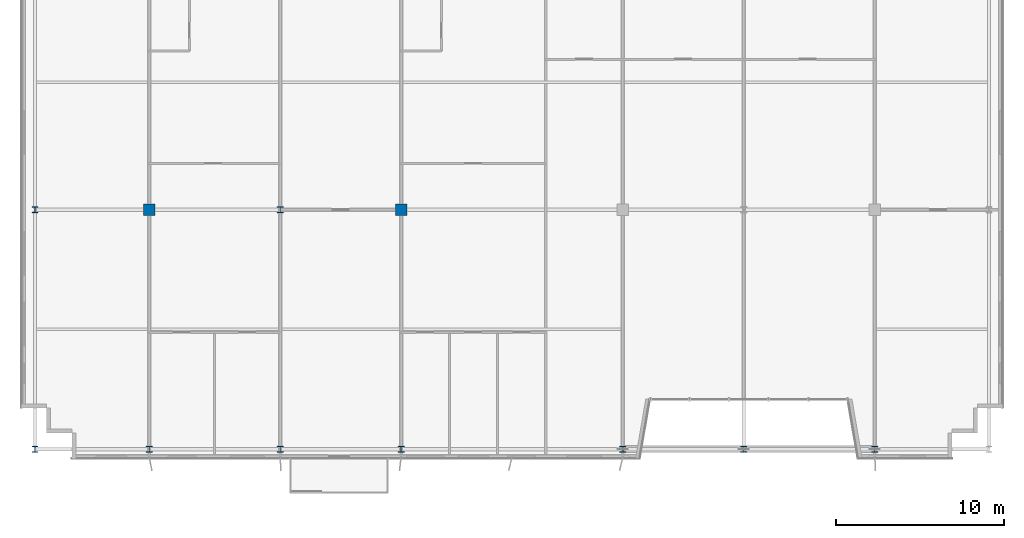
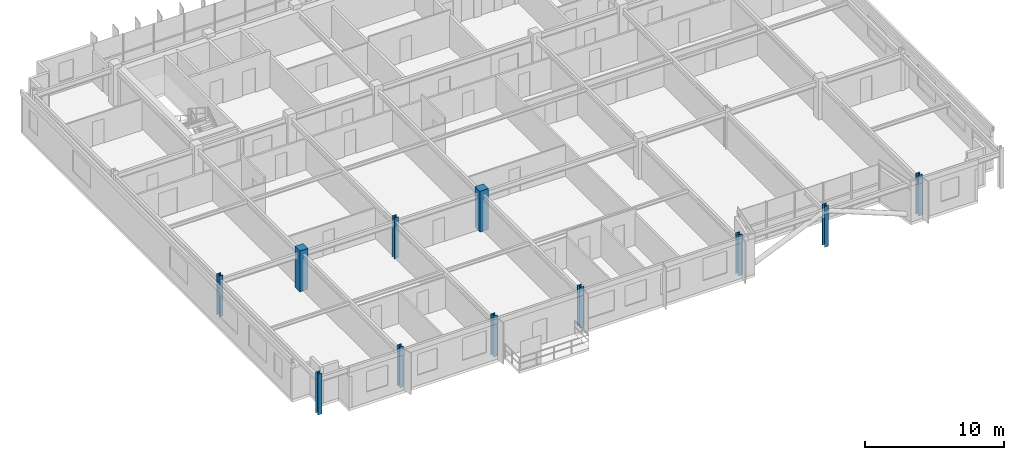
# One storey, part 1 of 27: 11 columns.
"""IFC4 building model written with IfcOpenShell, lengths in metres."""

import ifcopenshell
import ifcopenshell.guid

model = None  # the IFC model being written
_history = None  # IfcOwnerHistory: only IFC2X3 demands one
_inside = {}  # id of a spatial element -> (the spatial element, [elements in it])
_under = {}  # id of a project, library or spatial element -> (it, [spatial elements below it])
_declared = {}  # id of a project -> (the project, [libraries it declares])
_typed = {}  # id of a type object -> (the type object, [elements of that type])
_made_of = {}  # id of a material, layer set ... -> (it, [elements and type objects made of it])


def new_model(schema):
    """Start an empty IFC model of exactly this schema.

    Asked for "IFC4X3", IfcOpenShell would pick the latest addendum, in which some entities
    have other attributes; the version numbers below select the first issue.
    IFC2X3 requires an IfcOwnerHistory on every rooted entity: one is made here for all.
    """
    global model, _history
    if schema == "IFC4X3":
        model = ifcopenshell.file(schema_version=(4, 3, 0, 0))
    else:
        model = ifcopenshell.file(schema=schema)
    _inside.clear()
    _under.clear()
    _declared.clear()
    _typed.clear()
    _made_of.clear()
    _history = None
    if model.schema == "IFC2X3":
        org = make("IfcOrganization", Name="unknown")
        user = make(
            "IfcPersonAndOrganization",
            ThePerson=make("IfcPerson", FamilyName="unknown"),
            TheOrganization=org,
        )
        app = make(
            "IfcApplication",
            ApplicationDeveloper=org,
            Version="unknown",
            ApplicationFullName="unknown",
            ApplicationIdentifier="unknown",
        )
        _history = make(
            "IfcOwnerHistory",
            OwningUser=user,
            OwningApplication=app,
            ChangeAction="ADDED",
            CreationDate=0,
        )
    return model


def make(cls, **values):
    """One entity of the class cls with the attributes given. An attribute that is None is left unset."""
    return model.create_entity(
        cls, **{name: value for name, value in values.items() if value is not None}
    )


def rooted(cls, **values):
    """An entity with a GlobalId (a new one), such as an element, a storey or a relation."""
    return make(cls, GlobalId=ifcopenshell.guid.new(), OwnerHistory=_history, **values)


def si_unit(unit_type, name, prefix=None):
    """IfcSIUnit, for example si_unit("LENGTHUNIT", "METRE", prefix="MILLI")."""
    return make("IfcSIUnit", UnitType=unit_type, Prefix=prefix, Name=name)


def assignment(units):
    """IfcUnitAssignment: the units of a project."""
    return None if units is None else make("IfcUnitAssignment", Units=units)


def point(xyz):
    """IfcCartesianPoint."""
    return None if xyz is None else make("IfcCartesianPoint", Coordinates=xyz)


def direction(xyz):
    """IfcDirection."""
    return None if xyz is None else make("IfcDirection", DirectionRatios=xyz)


def frame(location, z_axis=None, x_axis=None):
    """IfcAxis2Placement3D, a coordinate frame: its origin and axes. An axis left out is left unset."""
    return make(
        "IfcAxis2Placement3D",
        Location=point(location),
        Axis=direction(z_axis),
        RefDirection=direction(x_axis),
    )


def frame_2d(location, x_axis=None):
    """IfcAxis2Placement2D, a coordinate frame in the plane: its origin and x axis."""
    return make(
        "IfcAxis2Placement2D", Location=point(location), RefDirection=direction(x_axis)
    )


def origin():
    """The frame at (0, 0, 0) with its axes left unset."""
    return frame((0.0, 0.0, 0.0))


def origin_2d():
    """The frame at (0, 0) in the plane with its x axis left unset."""
    return frame_2d((0.0, 0.0))


def place(relative_to, where):
    """IfcLocalPlacement: puts the frame where relative to a parent placement (None: the world)."""
    return make(
        "IfcLocalPlacement", PlacementRelTo=relative_to, RelativePlacement=where
    )


def context(
    kind, dimensions, precision=None, world=None, true_north=None, identifier=None
):
    """IfcGeometricRepresentationContext, for example the 3D "Model" context."""
    return make(
        "IfcGeometricRepresentationContext",
        ContextIdentifier=identifier,
        ContextType=kind,
        CoordinateSpaceDimension=dimensions,
        Precision=precision,
        WorldCoordinateSystem=world,
        TrueNorth=true_north,
    )


def subcontext(parent, identifier, kind, view, scale=None):
    """IfcGeometricRepresentationSubContext, for example "Body" below "Model"."""
    return make(
        "IfcGeometricRepresentationSubContext",
        ContextIdentifier=identifier,
        ContextType=kind,
        ParentContext=parent,
        TargetScale=scale,
        TargetView=view,
    )


def project(units=None, contexts=None):
    """IfcProject with its units and contexts."""
    return rooted(
        "IfcProject",
        Name="project",
        RepresentationContexts=contexts,
        UnitsInContext=assignment(units),
    )


def spatial(cls, under=None, at=None, **own):
    """A site, building, storey or space (cls), placed at a placement, below another one or the project."""
    s = rooted(cls, ObjectPlacement=at, **own)
    if under is not None:
        _under.setdefault(under.id(), (under, []))[1].append(s)
    return s


def profile(cls, at=None, kind="AREA", **sizes):
    """A parametric profile (cls). Its sizes go by their IFC names, for example OverallWidth=200.0."""
    return make(cls, ProfileType=kind, Position=at, **sizes)


def rectangle(**sizes):
    """IfcRectangleProfileDef."""
    return profile("IfcRectangleProfileDef", **sizes)


def i_section(**sizes):
    """IfcIShapeProfileDef."""
    return profile("IfcIShapeProfileDef", **sizes)


def extrude(swept, where, along, depth):
    """IfcExtrudedAreaSolid: the profile swept, set in the frame where, extruded along a direction by depth."""
    return make(
        "IfcExtrudedAreaSolid",
        SweptArea=swept,
        Position=where,
        ExtrudedDirection=direction(along),
        Depth=depth,
    )


def shape(context_of_items, identifier, shape_type, items):
    """IfcShapeRepresentation: the items that make up one representation, for example the "Body"."""
    return make(
        "IfcShapeRepresentation",
        ContextOfItems=context_of_items,
        RepresentationIdentifier=identifier,
        RepresentationType=shape_type,
        Items=items,
    )


def source(mapping_origin, context_of_items, identifier, shape_type, items):
    """IfcRepresentationMap: a shape defined once, which mapped items show again and again."""
    return make(
        "IfcRepresentationMap",
        MappingOrigin=mapping_origin,
        MappedRepresentation=shape(context_of_items, identifier, shape_type, items),
    )


def transform(
    local_origin,
    x_axis=None,
    y_axis=None,
    z_axis=None,
    scale=None,
    scale2=None,
    scale3=None,
    uniform=True,
):
    """IfcCartesianTransformationOperator3D, or its non-uniform kind. x_axis, y_axis, z_axis: its Axis1, 2, 3."""
    if uniform:
        return make(
            "IfcCartesianTransformationOperator3D",
            Axis1=direction(x_axis),
            Axis2=direction(y_axis),
            LocalOrigin=point(local_origin),
            Scale=scale,
            Axis3=direction(z_axis),
        )
    return make(
        "IfcCartesianTransformationOperator3DnonUniform",
        Axis1=direction(x_axis),
        Axis2=direction(y_axis),
        LocalOrigin=point(local_origin),
        Scale=scale,
        Axis3=direction(z_axis),
        Scale2=scale2,
        Scale3=scale3,
    )


def mapped(mapping_source, mapping_target):
    """IfcMappedItem: shows the shape of a source again, moved by a transform."""
    return make(
        "IfcMappedItem", MappingSource=mapping_source, MappingTarget=mapping_target
    )


def material(Name=None, Category=None):
    """IfcMaterial."""
    return make("IfcMaterial", Name=Name, Category=Category)


def material_profile(
    of_material, cross_section, Name=None, Category=None, Priority=None
):
    """IfcMaterialProfile: a cross section and its material."""
    return make(
        "IfcMaterialProfile",
        Name=Name,
        Material=of_material,
        Profile=cross_section,
        Priority=Priority,
        Category=Category,
    )


def profile_set(profiles, Name=None, composite=None):
    """IfcMaterialProfileSet."""
    return make(
        "IfcMaterialProfileSet",
        Name=Name,
        MaterialProfiles=profiles,
        CompositeProfile=composite,
    )


def made_of(thing, what):
    """Note that an element or type object is made of a material, layer set ...; save() writes the relation."""
    if what is not None:
        _made_of.setdefault(what.id(), (what, []))[1].append(thing)
    return thing


def type_object(cls, material=None, **own):
    """A type object (cls), such as IfcWallType, which elements share."""
    return made_of(rooted(cls, **own), material)


def element(
    cls,
    number,
    at=None,
    inside=None,
    cuts=None,
    type_object=None,
    material=None,
    context=None,
    identifier="Body",
    shape_type=None,
    held_by="IfcProductDefinitionShape",
    body=None,
    shapes=None,
    **own,
):
    """One element of the class cls, such as IfcWall. Its Tag is "e" and its number.

    at: its placement. inside: the storey or other place that contains it. cuts: it is an
    opening in that element (IfcRelVoidsElement). A single representation is given by context,
    identifier, shape_type and body (its items); several are given by shapes. held_by: the class
    of the entity that holds the representations. save() writes the other relations.
    """
    e = rooted(cls, Tag="e%d" % number, ObjectPlacement=at, **own)
    if body is not None:
        shapes = [shape(context, identifier, shape_type, body)]
    if shapes is not None:
        e.Representation = make(held_by, Representations=shapes)
    if inside is not None:
        _inside.setdefault(inside.id(), (inside, []))[1].append(e)
    if cuts is not None:
        rooted(
            "IfcRelVoidsElement", RelatingBuildingElement=cuts, RelatedOpeningElement=e
        )
    if type_object is not None:
        _typed.setdefault(type_object.id(), (type_object, []))[1].append(e)
    return made_of(e, material)


def aggregate(whole, parts):
    """IfcRelAggregates: a whole, such as a stair, and the parts it consists of."""
    return rooted("IfcRelAggregates", RelatingObject=whole, RelatedObjects=parts)


def save(model, path):
    """Write the relations noted so far, then the file.

    IfcRelAggregates (storeys below a building ...), IfcRelContainedInSpatialStructure (elements
    in a storey), IfcRelDefinesByType, IfcRelAssociatesMaterial and IfcRelDeclares: one each for
    every whole, place, type object, material and project.
    """
    for whole, parts in _under.values():
        aggregate(whole, parts)
    for where, things in _inside.values():
        rooted(
            "IfcRelContainedInSpatialStructure",
            RelatedElements=things,
            RelatingStructure=where,
        )
    for kind, things in _typed.values():
        rooted("IfcRelDefinesByType", RelatedObjects=things, RelatingType=kind)
    for what, things in _made_of.values():
        rooted("IfcRelAssociatesMaterial", RelatedObjects=things, RelatingMaterial=what)
    for by, libraries in _declared.values():
        rooted("IfcRelDeclares", RelatingContext=by, RelatedDefinitions=libraries)
    model.write(path)


model = new_model("IFC4")

# Units and contexts
model_context = context("Model", 3, precision=1e-05, world=origin(), true_north=direction((0.0, 1.0)))
body_context = subcontext(model_context, "Body", "Model", "MODEL_VIEW")
ifc_project = project(units=[si_unit("LENGTHUNIT", "METRE"), si_unit("AREAUNIT", "SQUARE_METRE"), si_unit("VOLUMEUNIT", "CUBIC_METRE"), si_unit("PLANEANGLEUNIT", "RADIAN"), si_unit("MASSUNIT", "GRAM", prefix="KILO")], contexts=[model_context])

# Site, building, storey
site_placement = place(None, origin())
site = spatial("IfcSite", under=ifc_project, at=site_placement, CompositionType="ELEMENT")
building_placement = place(site_placement, origin())
building = spatial("IfcBuilding", under=site, at=building_placement, Name="Trelvane Seafront Commons", CompositionType="ELEMENT")
storey_placement = place(building_placement, frame((0.0, 0.0, 237.300048828125)))
storey = spatial("IfcBuildingStorey", under=building, at=storey_placement, Name="L62", CompositionType="ELEMENT", Elevation=237.300048828125)

# Columns
ifc_material_1 = material(Name="Concrete C50/60", Category="concrete")
ifc_material_profile_1 = material_profile(ifc_material_1, rectangle(XDim=0.699951171875, YDim=0.699951171875, at=origin_2d()), Name="RC-700x700")
ifc_profile_set_1 = profile_set([ifc_material_profile_1], Name="Concrete C50/60")
column_type_1 = type_object("IfcColumnType", Name="STR-COL-RC700", PredefinedType="COLUMN", material=ifc_profile_set_1)
shared_shape_1 = source(origin(), body_context, "Body", "SweptSolid", [
    extrude(rectangle(XDim=0.699951171875, YDim=0.699951171875, at=origin_2d()), origin(), (0.0, 0.0, 1.0), 3.599853515625),
])
for number, where, z_axis, x_axis, name in (
    (1, (15.60009765625, 18.199951171875, 0.0), (0.0, 0.0, 1.0), (1.0, 0.0, 0.0), "L62 Column TC-M15.6"),
    (2, (30.60009765625, 18.199951171875, 0.0), (0.0, 0.0, 1.0), (1.0, 0.0, 0.0), "L62 Column TC-M30.6"),
):
    element("IfcColumn", number, at=place(storey_placement, frame(where, z_axis=z_axis, x_axis=x_axis)), inside=storey, type_object=column_type_1, Name=name, PredefinedType="COLUMN", context=body_context, shape_type="MappedRepresentation", body=[
        mapped(shared_shape_1, transform((0.0, 0.0, 0.0), x_axis=(1.0, 0.0, 0.0), y_axis=(0.0, 1.0, 0.0), z_axis=(0.0, 0.0, 1.0), scale=1.0)),
    ])
ifc_material_2 = material(Name="Steel SM355 (S355)", Category="steel")
ifc_material_profile_2 = material_profile(ifc_material_2, i_section(OverallWidth=0.35009765625, OverallDepth=0.35009765625, WebThickness=0.01806640625, FlangeThickness=0.028076171875, at=origin_2d()), Name="HD-350x350x18x28")
ifc_profile_set_2 = profile_set([ifc_material_profile_2], Name="Steel SM355 (S355)")
column_type_2 = type_object("IfcColumnType", Name="STR-COL-HD350", PredefinedType="COLUMN", material=ifc_profile_set_2)
shared_shape_2 = source(origin(), body_context, "Body", "SweptSolid", [
    extrude(i_section(OverallWidth=0.35009765625, OverallDepth=0.35009765625, WebThickness=0.01806640625, FlangeThickness=0.028076171875, at=origin_2d()), origin(), (0.0, 0.0, 1.0), 3.599853515625),
])
for number, where, z_axis, x_axis, name in (
    (3, (8.800048828125, 3.949951171875, 0.0), (0.0, 0.0, 1.0), (1.0, 0.0, 0.0), "L62 Column TC-S8.8"),
    (4, (8.800048828125, 18.199951171875, 0.0), (0.0, 0.0, 1.0), (1.0, 0.0, 0.0), "L62 Column TC-M8.8"),
    (5, (15.60009765625, 3.949951171875, 0.0), (0.0, 0.0, 1.0), (1.0, 0.0, 0.0), "L62 Column TC-S15.6"),
    (6, (23.39990234375, 3.949951171875, 0.0), (0.0, 0.0, 1.0), (1.0, 0.0, 0.0), "L62 Column TC-S23.4"),
    (7, (23.39990234375, 18.199951171875, 0.0), (0.0, 0.0, 1.0), (1.0, 0.0, 0.0), "L62 Column TC-M23.4"),
    (8, (30.60009765625, 3.949951171875, 0.0), (0.0, 0.0, 1.0), (1.0, 0.0, 0.0), "L62 Column TC-S30.6"),
    (9, (43.800048828125, 3.949951171875, 0.0), (0.0, 0.0, 1.0), (1.0, 0.0, 0.0), "L62 Column TC-S43.8"),
    (10, (51.0, 3.949951171875, 0.0), (0.0, 0.0, 1.0), (1.0, 0.0, 0.0), "L62 Column TC-S51.0"),
    (11, (58.800048828125, 3.949951171875, 0.0), (0.0, 0.0, 1.0), (1.0, 0.0, 0.0), "L62 Column TC-S58.8"),
):
    element("IfcColumn", number, at=place(storey_placement, frame(where, z_axis=z_axis, x_axis=x_axis)), inside=storey, type_object=column_type_2, Name=name, PredefinedType="COLUMN", context=body_context, shape_type="MappedRepresentation", body=[
        mapped(shared_shape_2, transform((0.0, 0.0, 0.0), x_axis=(1.0, 0.0, 0.0), y_axis=(0.0, 1.0, 0.0), z_axis=(0.0, 0.0, 1.0), scale=1.0)),
    ])

save(model, "model.ifc")
